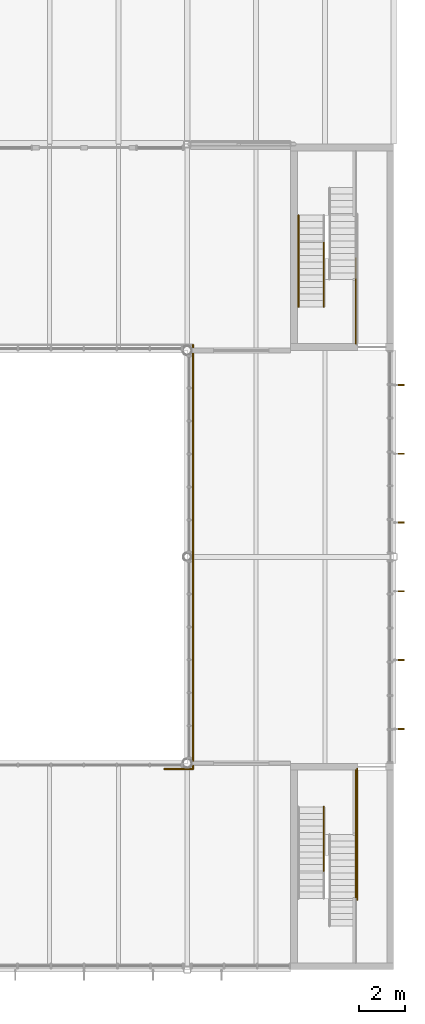
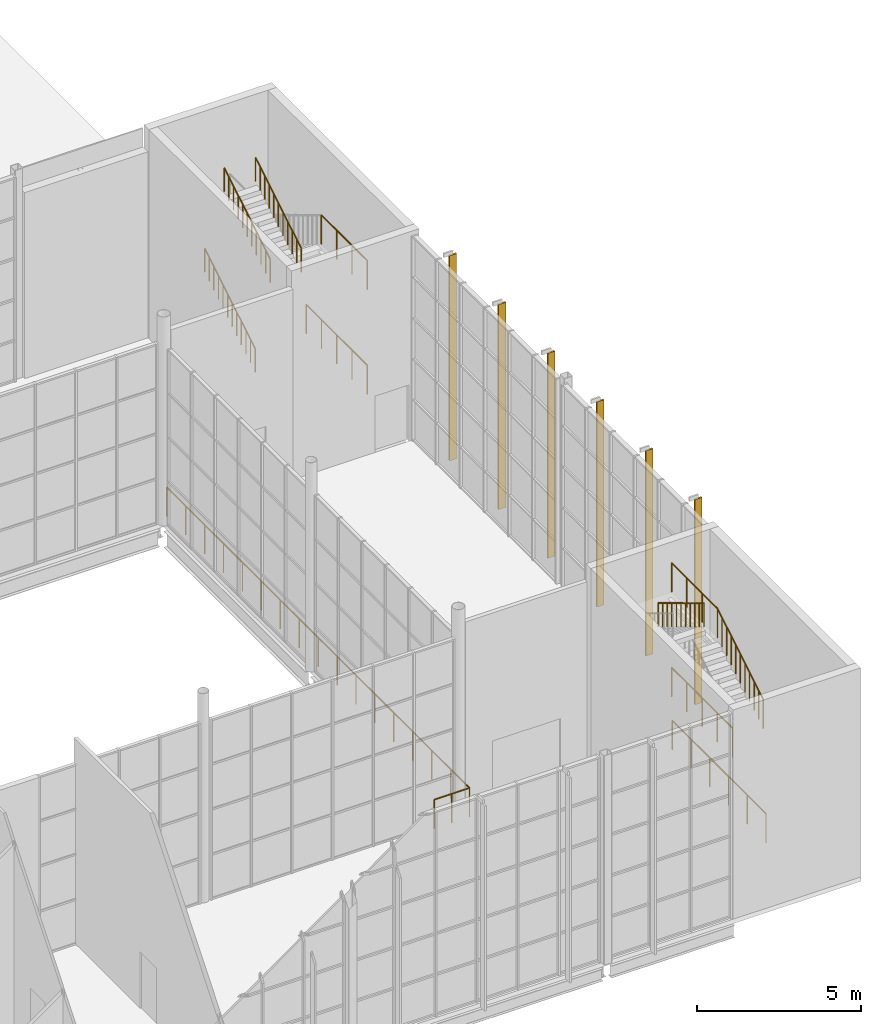
# One storey, part 89 of 90: 12 railings, 6 shading devices.
"""IFC4 building model written with IfcOpenShell, lengths in metres."""

import ifcopenshell
import ifcopenshell.guid

model = None  # the IFC model being written
_history = None  # IfcOwnerHistory: only IFC2X3 demands one
_inside = {}  # id of a spatial element -> (the spatial element, [elements in it])
_under = {}  # id of a project, library or spatial element -> (it, [spatial elements below it])
_declared = {}  # id of a project -> (the project, [libraries it declares])
_typed = {}  # id of a type object -> (the type object, [elements of that type])
_made_of = {}  # id of a material, layer set ... -> (it, [elements and type objects made of it])


def new_model(schema):
    """Start an empty IFC model of exactly this schema.

    Asked for "IFC4X3", IfcOpenShell would pick the latest addendum, in which some entities
    have other attributes; the version numbers below select the first issue.
    IFC2X3 requires an IfcOwnerHistory on every rooted entity: one is made here for all.
    """
    global model, _history
    if schema == "IFC4X3":
        model = ifcopenshell.file(schema_version=(4, 3, 0, 0))
    else:
        model = ifcopenshell.file(schema=schema)
    _inside.clear()
    _under.clear()
    _declared.clear()
    _typed.clear()
    _made_of.clear()
    _history = None
    if model.schema == "IFC2X3":
        org = make("IfcOrganization", Name="unknown")
        user = make(
            "IfcPersonAndOrganization",
            ThePerson=make("IfcPerson", FamilyName="unknown"),
            TheOrganization=org,
        )
        app = make(
            "IfcApplication",
            ApplicationDeveloper=org,
            Version="unknown",
            ApplicationFullName="unknown",
            ApplicationIdentifier="unknown",
        )
        _history = make(
            "IfcOwnerHistory",
            OwningUser=user,
            OwningApplication=app,
            ChangeAction="ADDED",
            CreationDate=0,
        )
    return model


def make(cls, **values):
    """One entity of the class cls with the attributes given. An attribute that is None is left unset."""
    return model.create_entity(
        cls, **{name: value for name, value in values.items() if value is not None}
    )


def rooted(cls, **values):
    """An entity with a GlobalId (a new one), such as an element, a storey or a relation."""
    return make(cls, GlobalId=ifcopenshell.guid.new(), OwnerHistory=_history, **values)


def si_unit(unit_type, name, prefix=None):
    """IfcSIUnit, for example si_unit("LENGTHUNIT", "METRE", prefix="MILLI")."""
    return make("IfcSIUnit", UnitType=unit_type, Prefix=prefix, Name=name)


def assignment(units):
    """IfcUnitAssignment: the units of a project."""
    return None if units is None else make("IfcUnitAssignment", Units=units)


def point(xyz):
    """IfcCartesianPoint."""
    return None if xyz is None else make("IfcCartesianPoint", Coordinates=xyz)


def direction(xyz):
    """IfcDirection."""
    return None if xyz is None else make("IfcDirection", DirectionRatios=xyz)


def frame(location, z_axis=None, x_axis=None):
    """IfcAxis2Placement3D, a coordinate frame: its origin and axes. An axis left out is left unset."""
    return make(
        "IfcAxis2Placement3D",
        Location=point(location),
        Axis=direction(z_axis),
        RefDirection=direction(x_axis),
    )


def frame_2d(location, x_axis=None):
    """IfcAxis2Placement2D, a coordinate frame in the plane: its origin and x axis."""
    return make(
        "IfcAxis2Placement2D", Location=point(location), RefDirection=direction(x_axis)
    )


def origin():
    """The frame at (0, 0, 0) with its axes left unset."""
    return frame((0.0, 0.0, 0.0))


def origin_2d():
    """The frame at (0, 0) in the plane with its x axis left unset."""
    return frame_2d((0.0, 0.0))


def place(relative_to, where):
    """IfcLocalPlacement: puts the frame where relative to a parent placement (None: the world)."""
    return make(
        "IfcLocalPlacement", PlacementRelTo=relative_to, RelativePlacement=where
    )


def context(
    kind, dimensions, precision=None, world=None, true_north=None, identifier=None
):
    """IfcGeometricRepresentationContext, for example the 3D "Model" context."""
    return make(
        "IfcGeometricRepresentationContext",
        ContextIdentifier=identifier,
        ContextType=kind,
        CoordinateSpaceDimension=dimensions,
        Precision=precision,
        WorldCoordinateSystem=world,
        TrueNorth=true_north,
    )


def subcontext(parent, identifier, kind, view, scale=None):
    """IfcGeometricRepresentationSubContext, for example "Body" below "Model"."""
    return make(
        "IfcGeometricRepresentationSubContext",
        ContextIdentifier=identifier,
        ContextType=kind,
        ParentContext=parent,
        TargetScale=scale,
        TargetView=view,
    )


def project(units=None, contexts=None):
    """IfcProject with its units and contexts."""
    return rooted(
        "IfcProject",
        Name="project",
        RepresentationContexts=contexts,
        UnitsInContext=assignment(units),
    )


def spatial(cls, under=None, at=None, **own):
    """A site, building, storey or space (cls), placed at a placement, below another one or the project."""
    s = rooted(cls, ObjectPlacement=at, **own)
    if under is not None:
        _under.setdefault(under.id(), (under, []))[1].append(s)
    return s


def profile(cls, at=None, kind="AREA", **sizes):
    """A parametric profile (cls). Its sizes go by their IFC names, for example OverallWidth=200.0."""
    return make(cls, ProfileType=kind, Position=at, **sizes)


def rectangle(**sizes):
    """IfcRectangleProfileDef."""
    return profile("IfcRectangleProfileDef", **sizes)


def circle(**sizes):
    """IfcCircleProfileDef."""
    return profile("IfcCircleProfileDef", **sizes)


def extrude(swept, where, along, depth):
    """IfcExtrudedAreaSolid: the profile swept, set in the frame where, extruded along a direction by depth."""
    return make(
        "IfcExtrudedAreaSolid",
        SweptArea=swept,
        Position=where,
        ExtrudedDirection=direction(along),
        Depth=depth,
    )


def shape(context_of_items, identifier, shape_type, items):
    """IfcShapeRepresentation: the items that make up one representation, for example the "Body"."""
    return make(
        "IfcShapeRepresentation",
        ContextOfItems=context_of_items,
        RepresentationIdentifier=identifier,
        RepresentationType=shape_type,
        Items=items,
    )


def material(Name=None, Category=None):
    """IfcMaterial."""
    return make("IfcMaterial", Name=Name, Category=Category)


def made_of(thing, what):
    """Note that an element or type object is made of a material, layer set ...; save() writes the relation."""
    if what is not None:
        _made_of.setdefault(what.id(), (what, []))[1].append(thing)
    return thing


def type_object(cls, material=None, **own):
    """A type object (cls), such as IfcWallType, which elements share."""
    return made_of(rooted(cls, **own), material)


def element(
    cls,
    number,
    at=None,
    inside=None,
    cuts=None,
    type_object=None,
    material=None,
    context=None,
    identifier="Body",
    shape_type=None,
    held_by="IfcProductDefinitionShape",
    body=None,
    shapes=None,
    **own,
):
    """One element of the class cls, such as IfcWall. Its Tag is "e" and its number.

    at: its placement. inside: the storey or other place that contains it. cuts: it is an
    opening in that element (IfcRelVoidsElement). A single representation is given by context,
    identifier, shape_type and body (its items); several are given by shapes. held_by: the class
    of the entity that holds the representations. save() writes the other relations.
    """
    e = rooted(cls, Tag="e%d" % number, ObjectPlacement=at, **own)
    if body is not None:
        shapes = [shape(context, identifier, shape_type, body)]
    if shapes is not None:
        e.Representation = make(held_by, Representations=shapes)
    if inside is not None:
        _inside.setdefault(inside.id(), (inside, []))[1].append(e)
    if cuts is not None:
        rooted(
            "IfcRelVoidsElement", RelatingBuildingElement=cuts, RelatedOpeningElement=e
        )
    if type_object is not None:
        _typed.setdefault(type_object.id(), (type_object, []))[1].append(e)
    return made_of(e, material)


def aggregate(whole, parts):
    """IfcRelAggregates: a whole, such as a stair, and the parts it consists of."""
    return rooted("IfcRelAggregates", RelatingObject=whole, RelatedObjects=parts)


def save(model, path):
    """Write the relations noted so far, then the file.

    IfcRelAggregates (storeys below a building ...), IfcRelContainedInSpatialStructure (elements
    in a storey), IfcRelDefinesByType, IfcRelAssociatesMaterial and IfcRelDeclares: one each for
    every whole, place, type object, material and project.
    """
    for whole, parts in _under.values():
        aggregate(whole, parts)
    for where, things in _inside.values():
        rooted(
            "IfcRelContainedInSpatialStructure",
            RelatedElements=things,
            RelatingStructure=where,
        )
    for kind, things in _typed.values():
        rooted("IfcRelDefinesByType", RelatedObjects=things, RelatingType=kind)
    for what, things in _made_of.values():
        rooted("IfcRelAssociatesMaterial", RelatedObjects=things, RelatingMaterial=what)
    for by, libraries in _declared.values():
        rooted("IfcRelDeclares", RelatingContext=by, RelatedDefinitions=libraries)
    model.write(path)


model = new_model("IFC4")

# Units and contexts
model_context = context("Model", 3, precision=1e-05, world=origin(), true_north=direction((0.0, 1.0)))
body_context = subcontext(model_context, "Body", "Model", "MODEL_VIEW")
ifc_project = project(units=[si_unit("LENGTHUNIT", "METRE"), si_unit("AREAUNIT", "SQUARE_METRE"), si_unit("VOLUMEUNIT", "CUBIC_METRE"), si_unit("PLANEANGLEUNIT", "RADIAN"), si_unit("MASSUNIT", "GRAM", prefix="KILO")], contexts=[model_context])

# Site, building, storey
site_placement = place(None, origin())
site = spatial("IfcSite", under=ifc_project, at=site_placement, CompositionType="ELEMENT")
building_placement = place(site_placement, origin())
building = spatial("IfcBuilding", under=site, at=building_placement, Name="Halyard Row Museum", CompositionType="ELEMENT")
storey_placement = place(building_placement, frame((0.0, 0.0, 13.39990234375)))
storey = spatial("IfcBuildingStorey", under=building, at=storey_placement, Name="L03", CompositionType="ELEMENT", Elevation=13.39990234375)

# Railings
ifc_material_1 = material(Name="Steel Grade 300", Category="steel")
railing_type_1 = type_object("IfcRailingType", Name="Guard GR2 steel balustrade 1100", PredefinedType="GUARDRAIL", material=ifc_material_1)
railing_1_placement = place(storey_placement, frame((106.35009765625, 3.10009765625, 4.2392578125)))
element("IfcRailing", 1, at=railing_1_placement, inside=storey, type_object=railing_type_1, Name="Guard GR059", PredefinedType="GUARDRAIL", context=body_context, shape_type="SweptSolid", body=[
    extrude(circle(Radius=0.02392578125, at=origin_2d()), frame((0.0, 0.0, 1.076171875), z_axis=(0.0, 0.855378239897, 0.518003925382), x_axis=(-1.0, 0.0, 0.0)), (0.0, 0.0, 1.0), 0.3271484375),
    extrude(circle(Radius=0.02392578125, at=origin_2d()), frame((0.0, 0.27978515625, 1.24560546875), z_axis=(0.0, 0.855247904055, 0.518219087461), x_axis=(-1.0, 0.0, 0.0)), (0.0, 0.0, 1.0), 0.327392578125),
    extrude(circle(Radius=0.02392578125, at=origin_2d()), frame((0.0, 0.559814453125, 1.4150390625), z_axis=(0.0, 0.855578329207, 0.517673374428), x_axis=(-1.0, 0.0, 0.0)), (0.0, 0.0, 1.0), 0.327392578125),
    extrude(circle(Radius=0.02392578125, at=origin_2d()), frame((0.0, 0.83984375, 1.58447265625), z_axis=(0.0, 0.855247904055, 0.518219087461), x_axis=(-1.0, 0.0, 0.0)), (0.0, 0.0, 1.0), 0.327392578125),
    extrude(circle(Radius=0.02392578125, at=origin_2d()), frame((0.0, 1.119873046875, 1.75439453125), z_axis=(0.0, 0.855247904055, 0.518219087461), x_axis=(-1.0, 0.0, 0.0)), (0.0, 0.0, 1.0), 0.327392578125),
    extrude(circle(Radius=0.02392578125, at=origin_2d()), frame((0.0, 1.39990234375, 1.923828125), z_axis=(0.0, 0.855578329207, 0.517673374428), x_axis=(-1.0, 0.0, 0.0)), (0.0, 0.0, 1.0), 0.327392578125),
    extrude(circle(Radius=0.02392578125, at=origin_2d()), frame((0.0, 1.679931640625, 2.09326171875), z_axis=(0.0, 0.855247904055, 0.518219087461), x_axis=(-1.0, 0.0, 0.0)), (0.0, 0.0, 1.0), 0.327392578125),
    extrude(circle(Radius=0.02392578125, at=origin_2d()), frame((0.0, 1.9599609375, 2.26318359375), z_axis=(0.0, 0.855578329207, 0.517673374428), x_axis=(-1.0, 0.0, 0.0)), (0.0, 0.0, 1.0), 0.327392578125),
    extrude(circle(Radius=0.02392578125, at=origin_2d()), frame((0.0, 2.239990234375, 2.4326171875), z_axis=(0.0, 0.855247904055, 0.518219087461), x_axis=(-1.0, 0.0, 0.0)), (0.0, 0.0, 1.0), 0.327392578125),
    extrude(circle(Radius=0.02392578125, at=origin_2d()), frame((0.0, 2.52001953125, 2.60205078125), z_axis=(0.0, 0.855378239897, 0.518003925382), x_axis=(-1.0, 0.0, 0.0)), (0.0, 0.0, 1.0), 0.3271484375),
    extrude(circle(Radius=0.02099609375, at=origin_2d()), origin(), (0.0, 0.0, 1.0), 1.052001953125),
    extrude(circle(Radius=0.02099609375, at=origin_2d()), frame((0.0, 0.27978515625, 0.16943359375)), (0.0, 0.0, 1.0), 1.052001953125),
    extrude(circle(Radius=0.02099609375, at=origin_2d()), frame((0.0, 0.559814453125, 0.339111328125)), (0.0, 0.0, 1.0), 1.052001953125),
    extrude(circle(Radius=0.02099609375, at=origin_2d()), frame((0.0, 0.83984375, 0.508544921875)), (0.0, 0.0, 1.0), 1.052001953125),
    extrude(circle(Radius=0.02099609375, at=origin_2d()), frame((0.0, 1.119873046875, 0.67822265625)), (0.0, 0.0, 1.0), 1.052001953125),
    extrude(circle(Radius=0.02099609375, at=origin_2d()), frame((0.0, 1.39990234375, 0.847900390625)), (0.0, 0.0, 1.0), 1.052001953125),
    extrude(circle(Radius=0.02099609375, at=origin_2d()), frame((0.0, 1.679931640625, 1.017333984375)), (0.0, 0.0, 1.0), 1.052001953125),
    extrude(circle(Radius=0.02099609375, at=origin_2d()), frame((0.0, 1.9599609375, 1.18701171875)), (0.0, 0.0, 1.0), 1.052001953125),
    extrude(circle(Radius=0.02099609375, at=origin_2d()), frame((0.0, 2.239990234375, 1.3564453125)), (0.0, 0.0, 1.0), 1.052001953125),
    extrude(circle(Radius=0.02099609375, at=origin_2d()), frame((0.0, 2.52001953125, 1.526123046875)), (0.0, 0.0, 1.0), 1.052001953125),
    extrude(circle(Radius=0.02099609375, at=origin_2d()), frame((0.0, 2.7998046875, 1.695556640625)), (0.0, 0.0, 1.0), 1.052001953125),
])
railing_2_placement = place(storey_placement, frame((106.35009765625, 4.97998046875, 2.034912109375)))
element("IfcRailing", 2, at=railing_2_placement, inside=storey, type_object=railing_type_1, Name="Guard GR060", PredefinedType="GUARDRAIL", context=body_context, shape_type="SweptSolid", body=[
    extrude(circle(Radius=0.02392578125, at=origin_2d()), frame((0.0, 0.0, 1.076171875), z_axis=(0.0, 1.0, 0.0), x_axis=(-1.0, 0.0, 0.0)), (0.0, 0.0, 1.0), 3.719970703125),
    extrude(circle(Radius=0.02099609375, at=origin_2d()), origin(), (0.0, 0.0, 1.0), 1.052001953125),
    extrude(circle(Radius=0.02099609375, at=origin_2d()), frame((0.0, 0.929931640625, 0.0)), (0.0, 0.0, 1.0), 1.052001953125),
    extrude(circle(Radius=0.02099609375, at=origin_2d()), frame((0.0, 1.85986328125, 0.0)), (0.0, 0.0, 1.0), 1.052001953125),
    extrude(circle(Radius=0.02099609375, at=origin_2d()), frame((0.0, 2.7900390625, 0.0)), (0.0, 0.0, 1.0), 1.052001953125),
    extrude(circle(Radius=0.02099609375, at=origin_2d()), frame((0.0, 3.719970703125, 0.0)), (0.0, 0.0, 1.0), 1.052001953125),
])
railing_3_placement = place(storey_placement, frame((106.35009765625, 5.89990234375, 5.934814453125)))
element("IfcRailing", 3, at=railing_3_placement, inside=storey, type_object=railing_type_1, Name="Guard GR062", PredefinedType="GUARDRAIL", context=body_context, shape_type="SweptSolid", body=[
    extrude(circle(Radius=0.02392578125, at=origin_2d()), frame((0.0, 0.0, 1.076171875), z_axis=(0.0, 1.0, 0.0), x_axis=(-1.0, 0.0, 0.0)), (0.0, 0.0, 1.0), 2.800048828125),
    extrude(circle(Radius=0.02099609375, at=origin_2d()), origin(), (0.0, 0.0, 1.0), 1.052001953125),
    extrude(circle(Radius=0.02099609375, at=origin_2d()), frame((0.0, 0.933349609375, 0.0)), (0.0, 0.0, 1.0), 1.052001953125),
    extrude(circle(Radius=0.02099609375, at=origin_2d()), frame((0.0, 1.86669921875, 0.0)), (0.0, 0.0, 1.0), 1.052001953125),
    extrude(circle(Radius=0.02099609375, at=origin_2d()), frame((0.0, 2.800048828125, 0.0)), (0.0, 0.0, 1.0), 1.052001953125),
])
railing_4_placement = place(storey_placement, frame((106.35009765625, 31.02001953125, 2.034912109375)))
element("IfcRailing", 4, at=railing_4_placement, inside=storey, type_object=railing_type_1, Name="Guard GR073", PredefinedType="GUARDRAIL", context=body_context, shape_type="SweptSolid", body=[
    extrude(circle(Radius=0.02392578125, at=origin_2d()), frame((0.0, 0.0, 1.076171875), z_axis=(0.0, -1.0, 0.0), x_axis=(1.0, 0.0, 0.0)), (0.0, 0.0, 1.0), 3.719970703125),
    extrude(circle(Radius=0.02099609375, at=origin_2d()), origin(), (0.0, 0.0, 1.0), 1.052001953125),
    extrude(circle(Radius=0.02099609375, at=origin_2d()), frame((0.0, -0.929931640625, 0.0)), (0.0, 0.0, 1.0), 1.052001953125),
    extrude(circle(Radius=0.02099609375, at=origin_2d()), frame((0.0, -1.85986328125, 0.0)), (0.0, 0.0, 1.0), 1.052001953125),
    extrude(circle(Radius=0.02099609375, at=origin_2d()), frame((0.0, -2.7900390625, 0.0)), (0.0, 0.0, 1.0), 1.052001953125),
    extrude(circle(Radius=0.02099609375, at=origin_2d()), frame((0.0, -3.719970703125, 0.0)), (0.0, 0.0, 1.0), 1.052001953125),
])
railing_5_placement = place(storey_placement, frame((106.35009765625, 30.10009765625, 5.934814453125)))
element("IfcRailing", 5, at=railing_5_placement, inside=storey, type_object=railing_type_1, Name="Guard GR075", PredefinedType="GUARDRAIL", context=body_context, shape_type="SweptSolid", body=[
    extrude(circle(Radius=0.02392578125, at=origin_2d()), frame((0.0, 0.0, 1.076171875), z_axis=(0.0, -1.0, 0.0), x_axis=(1.0, 0.0, 0.0)), (0.0, 0.0, 1.0), 2.800048828125),
    extrude(circle(Radius=0.02099609375, at=origin_2d()), origin(), (0.0, 0.0, 1.0), 1.052001953125),
    extrude(circle(Radius=0.02099609375, at=origin_2d()), frame((0.0, -0.933349609375, 0.0)), (0.0, 0.0, 1.0), 1.052001953125),
    extrude(circle(Radius=0.02099609375, at=origin_2d()), frame((0.0, -1.86669921875, 0.0)), (0.0, 0.0, 1.0), 1.052001953125),
    extrude(circle(Radius=0.02099609375, at=origin_2d()), frame((0.0, -2.800048828125, 0.0)), (0.0, 0.0, 1.0), 1.052001953125),
])
railing_6_placement = place(storey_placement, frame((106.409912109375, 8.760009765625, 0.0)))
element("IfcRailing", 6, at=railing_6_placement, inside=storey, type_object=railing_type_1, Name="Guard GR163", PredefinedType="GUARDRAIL", context=body_context, shape_type="SweptSolid", body=[
    extrude(circle(Radius=0.02392578125, at=origin_2d()), frame((0.0, 0.0, 1.076171875), z_axis=(0.0, -1.0, 0.0), x_axis=(1.0, 0.0, 0.0)), (0.0, 0.0, 1.0), 5.719970703125),
    extrude(circle(Radius=0.02099609375, at=origin_2d()), origin(), (0.0, 0.0, 1.0), 1.052001953125),
    extrude(circle(Radius=0.02099609375, at=origin_2d()), frame((0.0, -1.14404296875, 0.0)), (0.0, 0.0, 1.0), 1.052001953125),
    extrude(circle(Radius=0.02099609375, at=origin_2d()), frame((0.0, -2.2880859375, 0.0)), (0.0, 0.0, 1.0), 1.052001953125),
    extrude(circle(Radius=0.02099609375, at=origin_2d()), frame((0.0, -3.431884765625, 0.0)), (0.0, 0.0, 1.0), 1.052001953125),
    extrude(circle(Radius=0.02099609375, at=origin_2d()), frame((0.0, -4.575927734375, 0.0)), (0.0, 0.0, 1.0), 1.052001953125),
    extrude(circle(Radius=0.02099609375, at=origin_2d()), frame((0.0, -5.719970703125, 0.0)), (0.0, 0.0, 1.0), 1.052001953125),
])
railing_7_placement = place(storey_placement, frame((98.0, 8.75, 0.0)))
element("IfcRailing", 7, at=railing_7_placement, inside=storey, type_object=railing_type_1, Name="Guard GR207", PredefinedType="GUARDRAIL", context=body_context, shape_type="SweptSolid", body=[
    extrude(circle(Radius=0.02392578125, at=origin_2d()), frame((0.0, 0.0, 1.076171875), z_axis=(1.0, 0.0, 0.0), x_axis=(0.0, 1.0, 0.0)), (0.0, 0.0, 1.0), 1.25),
    extrude(circle(Radius=0.02099609375, at=origin_2d()), origin(), (0.0, 0.0, 1.0), 1.052001953125),
    extrude(circle(Radius=0.02099609375, at=origin_2d()), frame((0.625, 0.0, 0.0)), (0.0, 0.0, 1.0), 1.052001953125),
    extrude(circle(Radius=0.02099609375, at=origin_2d()), frame((1.25, 0.0, 0.0)), (0.0, 0.0, 1.0), 1.052001953125),
])
railing_8_placement = place(storey_placement, frame((99.25, 8.75, 0.0)))
element("IfcRailing", 8, at=railing_8_placement, inside=storey, type_object=railing_type_1, Name="Guard GR208", PredefinedType="GUARDRAIL", context=body_context, shape_type="SweptSolid", body=[
    extrude(circle(Radius=0.02392578125, at=origin_2d()), frame((0.0, 0.0, 1.076171875), z_axis=(0.0, 1.0, 0.0), x_axis=(-1.0, 0.0, 0.0)), (0.0, 0.0, 1.0), 18.5),
    extrude(circle(Radius=0.02099609375, at=origin_2d()), origin(), (0.0, 0.0, 1.0), 1.052001953125),
    extrude(circle(Radius=0.02099609375, at=origin_2d()), frame((0.0, 1.15625, 0.0)), (0.0, 0.0, 1.0), 1.052001953125),
    extrude(circle(Radius=0.02099609375, at=origin_2d()), frame((0.0, 2.3125, 0.0)), (0.0, 0.0, 1.0), 1.052001953125),
    extrude(circle(Radius=0.02099609375, at=origin_2d()), frame((0.0, 3.46875, 0.0)), (0.0, 0.0, 1.0), 1.052001953125),
    extrude(circle(Radius=0.02099609375, at=origin_2d()), frame((0.0, 4.625, 0.0)), (0.0, 0.0, 1.0), 1.052001953125),
    extrude(circle(Radius=0.02099609375, at=origin_2d()), frame((0.0, 5.78125, 0.0)), (0.0, 0.0, 1.0), 1.052001953125),
    extrude(circle(Radius=0.02099609375, at=origin_2d()), frame((0.0, 6.9375, 0.0)), (0.0, 0.0, 1.0), 1.052001953125),
    extrude(circle(Radius=0.02099609375, at=origin_2d()), frame((0.0, 8.09375, 0.0)), (0.0, 0.0, 1.0), 1.052001953125),
    extrude(circle(Radius=0.02099609375, at=origin_2d()), frame((0.0, 9.25, 0.0)), (0.0, 0.0, 1.0), 1.052001953125),
    extrude(circle(Radius=0.02099609375, at=origin_2d()), frame((0.0, 10.40625, 0.0)), (0.0, 0.0, 1.0), 1.052001953125),
    extrude(circle(Radius=0.02099609375, at=origin_2d()), frame((0.0, 11.5625, 0.0)), (0.0, 0.0, 1.0), 1.052001953125),
    extrude(circle(Radius=0.02099609375, at=origin_2d()), frame((0.0, 12.71875, 0.0)), (0.0, 0.0, 1.0), 1.052001953125),
    extrude(circle(Radius=0.02099609375, at=origin_2d()), frame((0.0, 13.875, 0.0)), (0.0, 0.0, 1.0), 1.052001953125),
    extrude(circle(Radius=0.02099609375, at=origin_2d()), frame((0.0, 15.03125, 0.0)), (0.0, 0.0, 1.0), 1.052001953125),
    extrude(circle(Radius=0.02099609375, at=origin_2d()), frame((0.0, 16.1875, 0.0)), (0.0, 0.0, 1.0), 1.052001953125),
    extrude(circle(Radius=0.02099609375, at=origin_2d()), frame((0.0, 17.34375, 0.0)), (0.0, 0.0, 1.0), 1.052001953125),
    extrude(circle(Radius=0.02099609375, at=origin_2d()), frame((0.0, 18.5, 0.0)), (0.0, 0.0, 1.0), 1.052001953125),
])
ifc_material_2 = material(Name="Steel Grade 300", Category="steel")
railing_type_2 = type_object("IfcRailingType", Name="Handrail HR2 steel 900", PredefinedType="HANDRAIL", material=ifc_material_2)
railing_9_placement = place(storey_placement, frame((104.949951171875, 7.10009765625, 6.1044921875)))
element("IfcRailing", 9, at=railing_9_placement, inside=storey, type_object=railing_type_2, Name="Handrail HR090", PredefinedType="HANDRAIL", context=body_context, shape_type="SweptSolid", body=[
    extrude(circle(Radius=0.02392578125, at=origin_2d()), frame((0.0, 0.0, 0.8759765625), z_axis=(0.0, -0.855578329207, 0.517673374428), x_axis=(1.0, 0.0, 0.0)), (0.0, 0.0, 1.0), 0.327392578125),
    extrude(circle(Radius=0.02392578125, at=origin_2d()), frame((0.0, -0.280029296875, 1.04541015625), z_axis=(0.0, -0.855247904055, 0.518219087461), x_axis=(1.0, 0.0, 0.0)), (0.0, 0.0, 1.0), 0.327392578125),
    extrude(circle(Radius=0.02392578125, at=origin_2d()), frame((0.0, -0.56005859375, 1.21484375), z_axis=(0.0, -0.855578329207, 0.517673374428), x_axis=(1.0, 0.0, 0.0)), (0.0, 0.0, 1.0), 0.327392578125),
    extrude(circle(Radius=0.02392578125, at=origin_2d()), frame((0.0, -0.840087890625, 1.38427734375), z_axis=(0.0, -0.855247904055, 0.518219087461), x_axis=(1.0, 0.0, 0.0)), (0.0, 0.0, 1.0), 0.327392578125),
    extrude(circle(Radius=0.02392578125, at=origin_2d()), frame((0.0, -1.1201171875, 1.55419921875), z_axis=(0.0, -0.855247904055, 0.518219087461), x_axis=(1.0, 0.0, 0.0)), (0.0, 0.0, 1.0), 0.327392578125),
    extrude(circle(Radius=0.02392578125, at=origin_2d()), frame((0.0, -1.400146484375, 1.7236328125), z_axis=(0.0, -0.855578329207, 0.517673374428), x_axis=(1.0, 0.0, 0.0)), (0.0, 0.0, 1.0), 0.327392578125),
    extrude(circle(Radius=0.02392578125, at=origin_2d()), frame((0.0, -1.68017578125, 1.89306640625), z_axis=(0.0, -0.855247904055, 0.518219087461), x_axis=(1.0, 0.0, 0.0)), (0.0, 0.0, 1.0), 0.327392578125),
    extrude(circle(Radius=0.02392578125, at=origin_2d()), frame((0.0, -1.960205078125, 2.06298828125), z_axis=(0.0, -0.855378239897, 0.518003925382), x_axis=(1.0, 0.0, 0.0)), (0.0, 0.0, 1.0), 0.3271484375),
    extrude(circle(Radius=0.02392578125, at=origin_2d()), frame((0.0, -2.239990234375, 2.232421875), z_axis=(0.0, -0.855247904055, 0.518219087461), x_axis=(1.0, 0.0, 0.0)), (0.0, 0.0, 1.0), 0.327392578125),
    extrude(circle(Radius=0.02392578125, at=origin_2d()), frame((0.0, -2.52001953125, 2.40185546875), z_axis=(0.0, -0.855578329207, 0.517673374428), x_axis=(1.0, 0.0, 0.0)), (0.0, 0.0, 1.0), 0.327392578125),
    extrude(circle(Radius=0.02099609375, at=origin_2d()), origin(), (0.0, 0.0, 1.0), 0.851806640625),
    extrude(circle(Radius=0.02099609375, at=origin_2d()), frame((0.0, -0.280029296875, 0.16943359375)), (0.0, 0.0, 1.0), 0.851806640625),
    extrude(circle(Radius=0.02099609375, at=origin_2d()), frame((0.0, -0.56005859375, 0.339111328125)), (0.0, 0.0, 1.0), 0.851806640625),
    extrude(circle(Radius=0.02099609375, at=origin_2d()), frame((0.0, -0.840087890625, 0.508544921875)), (0.0, 0.0, 1.0), 0.851806640625),
    extrude(circle(Radius=0.02099609375, at=origin_2d()), frame((0.0, -1.1201171875, 0.67822265625)), (0.0, 0.0, 1.0), 0.851806640625),
    extrude(circle(Radius=0.02099609375, at=origin_2d()), frame((0.0, -1.400146484375, 0.847900390625)), (0.0, 0.0, 1.0), 0.851806640625),
    extrude(circle(Radius=0.02099609375, at=origin_2d()), frame((0.0, -1.68017578125, 1.017333984375)), (0.0, 0.0, 1.0), 0.851806640625),
    extrude(circle(Radius=0.02099609375, at=origin_2d()), frame((0.0, -1.960205078125, 1.18701171875)), (0.0, 0.0, 1.0), 0.851806640625),
    extrude(circle(Radius=0.02099609375, at=origin_2d()), frame((0.0, -2.239990234375, 1.3564453125)), (0.0, 0.0, 1.0), 0.851806640625),
    extrude(circle(Radius=0.02099609375, at=origin_2d()), frame((0.0, -2.52001953125, 1.526123046875)), (0.0, 0.0, 1.0), 0.851806640625),
    extrude(circle(Radius=0.02099609375, at=origin_2d()), frame((0.0, -2.800048828125, 1.695556640625)), (0.0, 0.0, 1.0), 0.851806640625),
])
railing_10_placement = place(storey_placement, frame((103.85009765625, 29.820068359375, 2.204345703125)))
element("IfcRailing", 10, at=railing_10_placement, inside=storey, type_object=railing_type_2, Name="Handrail HR104", PredefinedType="HANDRAIL", context=body_context, shape_type="SweptSolid", body=[
    extrude(circle(Radius=0.02392578125, at=origin_2d()), frame((0.0, 0.0, 0.8759765625), z_axis=(0.0, 0.855247904055, 0.518219087461), x_axis=(-1.0, 0.0, 0.0)), (0.0, 0.0, 1.0), 0.327392578125),
    extrude(circle(Radius=0.02392578125, at=origin_2d()), frame((0.0, 0.280029296875, 1.04541015625), z_axis=(0.0, 0.855378239897, 0.518003925382), x_axis=(-1.0, 0.0, 0.0)), (0.0, 0.0, 1.0), 0.3271484375),
    extrude(circle(Radius=0.02392578125, at=origin_2d()), frame((0.0, 0.559814453125, 1.21484375), z_axis=(0.0, 0.855247904055, 0.518219087461), x_axis=(-1.0, 0.0, 0.0)), (0.0, 0.0, 1.0), 0.327392578125),
    extrude(circle(Radius=0.02392578125, at=origin_2d()), frame((0.0, 0.83984375, 1.384765625), z_axis=(0.0, 0.855247904055, 0.518219087461), x_axis=(-1.0, 0.0, 0.0)), (0.0, 0.0, 1.0), 0.327392578125),
    extrude(circle(Radius=0.02392578125, at=origin_2d()), frame((0.0, 1.119873046875, 1.55419921875), z_axis=(0.0, 0.855578329207, 0.517673374428), x_axis=(-1.0, 0.0, 0.0)), (0.0, 0.0, 1.0), 0.327392578125),
    extrude(circle(Radius=0.02392578125, at=origin_2d()), frame((0.0, 1.39990234375, 1.7236328125), z_axis=(0.0, 0.855247904055, 0.518219087461), x_axis=(-1.0, 0.0, 0.0)), (0.0, 0.0, 1.0), 0.327392578125),
    extrude(circle(Radius=0.02392578125, at=origin_2d()), frame((0.0, 1.679931640625, 1.8935546875), z_axis=(0.0, 0.855578329207, 0.517673374428), x_axis=(-1.0, 0.0, 0.0)), (0.0, 0.0, 1.0), 0.327392578125),
    extrude(circle(Radius=0.02392578125, at=origin_2d()), frame((0.0, 1.9599609375, 2.06298828125), z_axis=(0.0, 0.855247904055, 0.518219087461), x_axis=(-1.0, 0.0, 0.0)), (0.0, 0.0, 1.0), 0.327392578125),
    extrude(circle(Radius=0.02392578125, at=origin_2d()), frame((0.0, 2.239990234375, 2.232421875), z_axis=(0.0, 0.855578329207, 0.517673374428), x_axis=(-1.0, 0.0, 0.0)), (0.0, 0.0, 1.0), 0.327392578125),
    extrude(circle(Radius=0.02392578125, at=origin_2d()), frame((0.0, 2.52001953125, 2.40185546875), z_axis=(0.0, 0.855247904055, 0.518219087461), x_axis=(-1.0, 0.0, 0.0)), (0.0, 0.0, 1.0), 0.327392578125),
    extrude(circle(Radius=0.02392578125, at=origin_2d()), frame((0.0, 2.800048828125, 2.57177734375), z_axis=(0.0, 0.855378239897, 0.518003925382), x_axis=(-1.0, 0.0, 0.0)), (0.0, 0.0, 1.0), 0.3271484375),
    extrude(circle(Radius=0.02099609375, at=origin_2d()), origin(), (0.0, 0.0, 1.0), 0.851806640625),
    extrude(circle(Radius=0.02099609375, at=origin_2d()), frame((0.0, 0.280029296875, 0.169677734375)), (0.0, 0.0, 1.0), 0.851806640625),
    extrude(circle(Radius=0.02099609375, at=origin_2d()), frame((0.0, 0.559814453125, 0.339111328125)), (0.0, 0.0, 1.0), 0.851806640625),
    extrude(circle(Radius=0.02099609375, at=origin_2d()), frame((0.0, 0.83984375, 0.5087890625)), (0.0, 0.0, 1.0), 0.851806640625),
    extrude(circle(Radius=0.02099609375, at=origin_2d()), frame((0.0, 1.119873046875, 0.678466796875)), (0.0, 0.0, 1.0), 0.851806640625),
    extrude(circle(Radius=0.02099609375, at=origin_2d()), frame((0.0, 1.39990234375, 0.847900390625)), (0.0, 0.0, 1.0), 0.851806640625),
    extrude(circle(Radius=0.02099609375, at=origin_2d()), frame((0.0, 1.679931640625, 1.017578125)), (0.0, 0.0, 1.0), 0.851806640625),
    extrude(circle(Radius=0.02099609375, at=origin_2d()), frame((0.0, 1.9599609375, 1.18701171875)), (0.0, 0.0, 1.0), 0.851806640625),
    extrude(circle(Radius=0.02099609375, at=origin_2d()), frame((0.0, 2.239990234375, 1.356689453125)), (0.0, 0.0, 1.0), 0.851806640625),
    extrude(circle(Radius=0.02099609375, at=origin_2d()), frame((0.0, 2.52001953125, 1.526123046875)), (0.0, 0.0, 1.0), 0.851806640625),
    extrude(circle(Radius=0.02099609375, at=origin_2d()), frame((0.0, 2.800048828125, 1.69580078125)), (0.0, 0.0, 1.0), 0.851806640625),
    extrude(circle(Radius=0.02099609375, at=origin_2d()), frame((0.0, 3.079833984375, 1.865234375)), (0.0, 0.0, 1.0), 0.851806640625),
])
railing_11_placement = place(storey_placement, frame((103.85009765625, 28.89990234375, 6.1044921875)))
element("IfcRailing", 11, at=railing_11_placement, inside=storey, type_object=railing_type_2, Name="Handrail HR107", PredefinedType="HANDRAIL", context=body_context, shape_type="SweptSolid", body=[
    extrude(circle(Radius=0.02392578125, at=origin_2d()), frame((0.0, 0.0, 0.8759765625), z_axis=(0.0, 0.855578329207, 0.517673374428), x_axis=(-1.0, 0.0, 0.0)), (0.0, 0.0, 1.0), 0.327392578125),
    extrude(circle(Radius=0.02392578125, at=origin_2d()), frame((0.0, 0.280029296875, 1.04541015625), z_axis=(0.0, 0.855247904055, 0.518219087461), x_axis=(-1.0, 0.0, 0.0)), (0.0, 0.0, 1.0), 0.327392578125),
    extrude(circle(Radius=0.02392578125, at=origin_2d()), frame((0.0, 0.56005859375, 1.21484375), z_axis=(0.0, 0.855578329207, 0.517673374428), x_axis=(-1.0, 0.0, 0.0)), (0.0, 0.0, 1.0), 0.327392578125),
    extrude(circle(Radius=0.02392578125, at=origin_2d()), frame((0.0, 0.840087890625, 1.38427734375), z_axis=(0.0, 0.855247904055, 0.518219087461), x_axis=(-1.0, 0.0, 0.0)), (0.0, 0.0, 1.0), 0.327392578125),
    extrude(circle(Radius=0.02392578125, at=origin_2d()), frame((0.0, 1.1201171875, 1.55419921875), z_axis=(0.0, 0.855247904055, 0.518219087461), x_axis=(-1.0, 0.0, 0.0)), (0.0, 0.0, 1.0), 0.327392578125),
    extrude(circle(Radius=0.02392578125, at=origin_2d()), frame((0.0, 1.400146484375, 1.7236328125), z_axis=(0.0, 0.855578329207, 0.517673374428), x_axis=(-1.0, 0.0, 0.0)), (0.0, 0.0, 1.0), 0.327392578125),
    extrude(circle(Radius=0.02392578125, at=origin_2d()), frame((0.0, 1.68017578125, 1.89306640625), z_axis=(0.0, 0.855247904055, 0.518219087461), x_axis=(-1.0, 0.0, 0.0)), (0.0, 0.0, 1.0), 0.327392578125),
    extrude(circle(Radius=0.02392578125, at=origin_2d()), frame((0.0, 1.960205078125, 2.06298828125), z_axis=(0.0, 0.855378239897, 0.518003925382), x_axis=(-1.0, 0.0, 0.0)), (0.0, 0.0, 1.0), 0.3271484375),
    extrude(circle(Radius=0.02392578125, at=origin_2d()), frame((0.0, 2.239990234375, 2.232421875), z_axis=(0.0, 0.855247904055, 0.518219087461), x_axis=(-1.0, 0.0, 0.0)), (0.0, 0.0, 1.0), 0.327392578125),
    extrude(circle(Radius=0.02392578125, at=origin_2d()), frame((0.0, 2.52001953125, 2.40185546875), z_axis=(0.0, 0.855578329207, 0.517673374428), x_axis=(-1.0, 0.0, 0.0)), (0.0, 0.0, 1.0), 0.327392578125),
    extrude(circle(Radius=0.02099609375, at=origin_2d()), origin(), (0.0, 0.0, 1.0), 0.851806640625),
    extrude(circle(Radius=0.02099609375, at=origin_2d()), frame((0.0, 0.280029296875, 0.16943359375)), (0.0, 0.0, 1.0), 0.851806640625),
    extrude(circle(Radius=0.02099609375, at=origin_2d()), frame((0.0, 0.56005859375, 0.339111328125)), (0.0, 0.0, 1.0), 0.851806640625),
    extrude(circle(Radius=0.02099609375, at=origin_2d()), frame((0.0, 0.840087890625, 0.508544921875)), (0.0, 0.0, 1.0), 0.851806640625),
    extrude(circle(Radius=0.02099609375, at=origin_2d()), frame((0.0, 1.1201171875, 0.67822265625)), (0.0, 0.0, 1.0), 0.851806640625),
    extrude(circle(Radius=0.02099609375, at=origin_2d()), frame((0.0, 1.400146484375, 0.847900390625)), (0.0, 0.0, 1.0), 0.851806640625),
    extrude(circle(Radius=0.02099609375, at=origin_2d()), frame((0.0, 1.68017578125, 1.017333984375)), (0.0, 0.0, 1.0), 0.851806640625),
    extrude(circle(Radius=0.02099609375, at=origin_2d()), frame((0.0, 1.960205078125, 1.18701171875)), (0.0, 0.0, 1.0), 0.851806640625),
    extrude(circle(Radius=0.02099609375, at=origin_2d()), frame((0.0, 2.239990234375, 1.3564453125)), (0.0, 0.0, 1.0), 0.851806640625),
    extrude(circle(Radius=0.02099609375, at=origin_2d()), frame((0.0, 2.52001953125, 1.526123046875)), (0.0, 0.0, 1.0), 0.851806640625),
    extrude(circle(Radius=0.02099609375, at=origin_2d()), frame((0.0, 2.800048828125, 1.695556640625)), (0.0, 0.0, 1.0), 0.851806640625),
])
railing_12_placement = place(storey_placement, frame((104.949951171875, 28.89990234375, 6.1044921875)))
element("IfcRailing", 12, at=railing_12_placement, inside=storey, type_object=railing_type_2, Name="Handrail HR108", PredefinedType="HANDRAIL", context=body_context, shape_type="SweptSolid", body=[
    extrude(circle(Radius=0.02392578125, at=origin_2d()), frame((0.0, 0.0, 0.8759765625), z_axis=(0.0, 0.855578329207, 0.517673374428), x_axis=(-1.0, 0.0, 0.0)), (0.0, 0.0, 1.0), 0.327392578125),
    extrude(circle(Radius=0.02392578125, at=origin_2d()), frame((0.0, 0.280029296875, 1.04541015625), z_axis=(0.0, 0.855247904055, 0.518219087461), x_axis=(-1.0, 0.0, 0.0)), (0.0, 0.0, 1.0), 0.327392578125),
    extrude(circle(Radius=0.02392578125, at=origin_2d()), frame((0.0, 0.56005859375, 1.21484375), z_axis=(0.0, 0.855578329207, 0.517673374428), x_axis=(-1.0, 0.0, 0.0)), (0.0, 0.0, 1.0), 0.327392578125),
    extrude(circle(Radius=0.02392578125, at=origin_2d()), frame((0.0, 0.840087890625, 1.38427734375), z_axis=(0.0, 0.855247904055, 0.518219087461), x_axis=(-1.0, 0.0, 0.0)), (0.0, 0.0, 1.0), 0.327392578125),
    extrude(circle(Radius=0.02392578125, at=origin_2d()), frame((0.0, 1.1201171875, 1.55419921875), z_axis=(0.0, 0.855247904055, 0.518219087461), x_axis=(-1.0, 0.0, 0.0)), (0.0, 0.0, 1.0), 0.327392578125),
    extrude(circle(Radius=0.02392578125, at=origin_2d()), frame((0.0, 1.400146484375, 1.7236328125), z_axis=(0.0, 0.855578329207, 0.517673374428), x_axis=(-1.0, 0.0, 0.0)), (0.0, 0.0, 1.0), 0.327392578125),
    extrude(circle(Radius=0.02392578125, at=origin_2d()), frame((0.0, 1.68017578125, 1.89306640625), z_axis=(0.0, 0.855247904055, 0.518219087461), x_axis=(-1.0, 0.0, 0.0)), (0.0, 0.0, 1.0), 0.327392578125),
    extrude(circle(Radius=0.02392578125, at=origin_2d()), frame((0.0, 1.960205078125, 2.06298828125), z_axis=(0.0, 0.855378239897, 0.518003925382), x_axis=(-1.0, 0.0, 0.0)), (0.0, 0.0, 1.0), 0.3271484375),
    extrude(circle(Radius=0.02392578125, at=origin_2d()), frame((0.0, 2.239990234375, 2.232421875), z_axis=(0.0, 0.855247904055, 0.518219087461), x_axis=(-1.0, 0.0, 0.0)), (0.0, 0.0, 1.0), 0.327392578125),
    extrude(circle(Radius=0.02392578125, at=origin_2d()), frame((0.0, 2.52001953125, 2.40185546875), z_axis=(0.0, 0.855578329207, 0.517673374428), x_axis=(-1.0, 0.0, 0.0)), (0.0, 0.0, 1.0), 0.327392578125),
    extrude(circle(Radius=0.02099609375, at=origin_2d()), origin(), (0.0, 0.0, 1.0), 0.851806640625),
    extrude(circle(Radius=0.02099609375, at=origin_2d()), frame((0.0, 0.280029296875, 0.16943359375)), (0.0, 0.0, 1.0), 0.851806640625),
    extrude(circle(Radius=0.02099609375, at=origin_2d()), frame((0.0, 0.56005859375, 0.339111328125)), (0.0, 0.0, 1.0), 0.851806640625),
    extrude(circle(Radius=0.02099609375, at=origin_2d()), frame((0.0, 0.840087890625, 0.508544921875)), (0.0, 0.0, 1.0), 0.851806640625),
    extrude(circle(Radius=0.02099609375, at=origin_2d()), frame((0.0, 1.1201171875, 0.67822265625)), (0.0, 0.0, 1.0), 0.851806640625),
    extrude(circle(Radius=0.02099609375, at=origin_2d()), frame((0.0, 1.400146484375, 0.847900390625)), (0.0, 0.0, 1.0), 0.851806640625),
    extrude(circle(Radius=0.02099609375, at=origin_2d()), frame((0.0, 1.68017578125, 1.017333984375)), (0.0, 0.0, 1.0), 0.851806640625),
    extrude(circle(Radius=0.02099609375, at=origin_2d()), frame((0.0, 1.960205078125, 1.18701171875)), (0.0, 0.0, 1.0), 0.851806640625),
    extrude(circle(Radius=0.02099609375, at=origin_2d()), frame((0.0, 2.239990234375, 1.3564453125)), (0.0, 0.0, 1.0), 0.851806640625),
    extrude(circle(Radius=0.02099609375, at=origin_2d()), frame((0.0, 2.52001953125, 1.526123046875)), (0.0, 0.0, 1.0), 0.851806640625),
    extrude(circle(Radius=0.02099609375, at=origin_2d()), frame((0.0, 2.800048828125, 1.695556640625)), (0.0, 0.0, 1.0), 0.851806640625),
])

# Shading devices
ifc_material_3 = material(Name="Glue-laminated timber GL12, oiled", Category="wood")
shading_device_type = type_object("IfcShadingDeviceType", Name="Timber fin 60 x 250", PredefinedType="USERDEFINED", material=ifc_material_3)
for number, where, z_axis, x_axis, name in (
    (13, (108.324951171875, 10.5, 0.000244140625), (0.0, 0.0, 1.0), (1.0, 0.0, 0.0), "Timber fin"),
    (14, (108.324951171875, 13.5, 0.000244140625), (0.0, 0.0, 1.0), (1.0, 0.0, 0.0), "Timber fin"),
    (15, (108.324951171875, 16.5, 0.000244140625), (0.0, 0.0, 1.0), (1.0, 0.0, 0.0), "Timber fin"),
    (16, (108.324951171875, 19.5, 0.000244140625), (0.0, 0.0, 1.0), (1.0, 0.0, 0.0), "Timber fin"),
    (17, (108.324951171875, 22.5, 0.000244140625), (0.0, 0.0, 1.0), (1.0, 0.0, 0.0), "Timber fin"),
    (18, (108.324951171875, 25.5, 0.000244140625), (0.0, 0.0, 1.0), (1.0, 0.0, 0.0), "Timber fin"),
):
    element("IfcShadingDevice", number, at=place(storey_placement, frame(where, z_axis=z_axis, x_axis=x_axis)), inside=storey, type_object=shading_device_type, Name=name, ObjectType="FIN", PredefinedType="USERDEFINED", context=body_context, shape_type="SweptSolid", body=[
        extrude(rectangle(XDim=0.25, YDim=0.06005859375, at=origin_2d()), origin(), (0.0, 0.0, 1.0), 7.64990234375),
    ])

save(model, "model.ifc")
